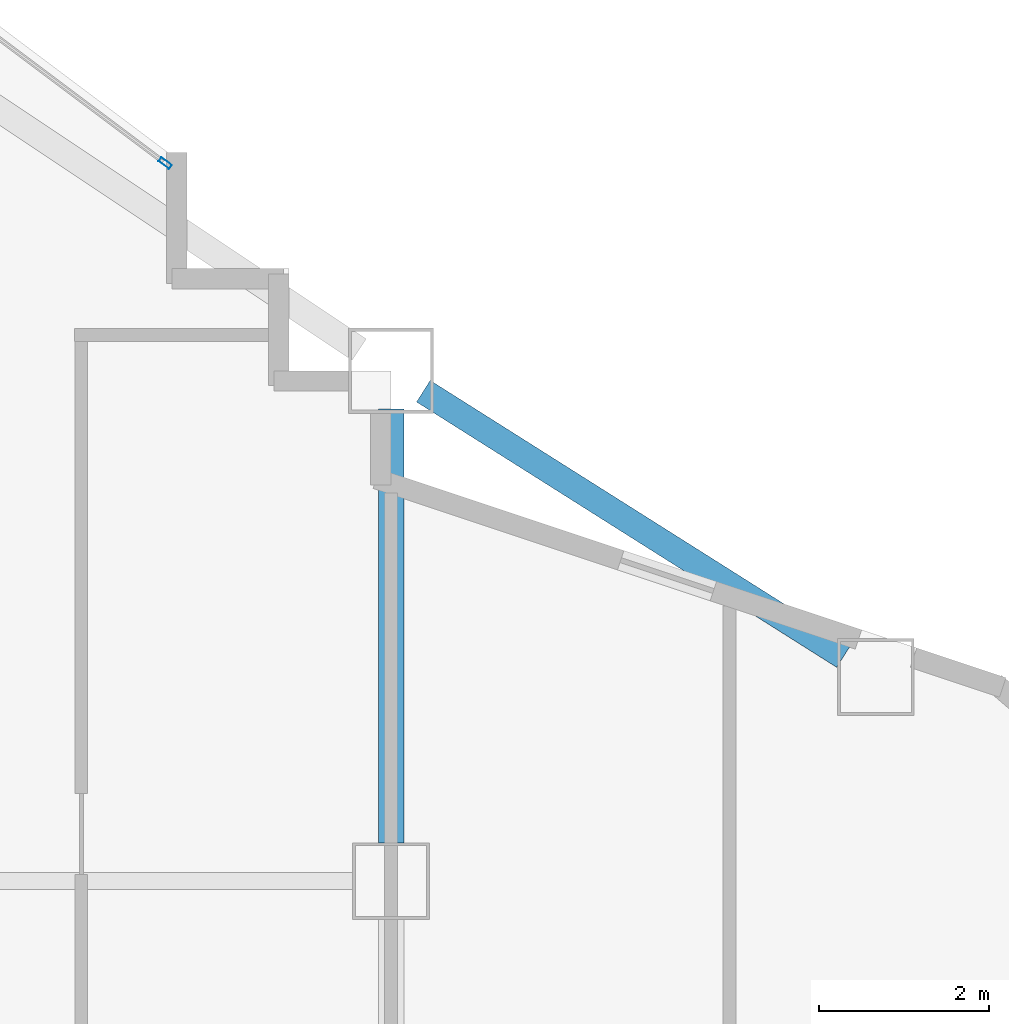
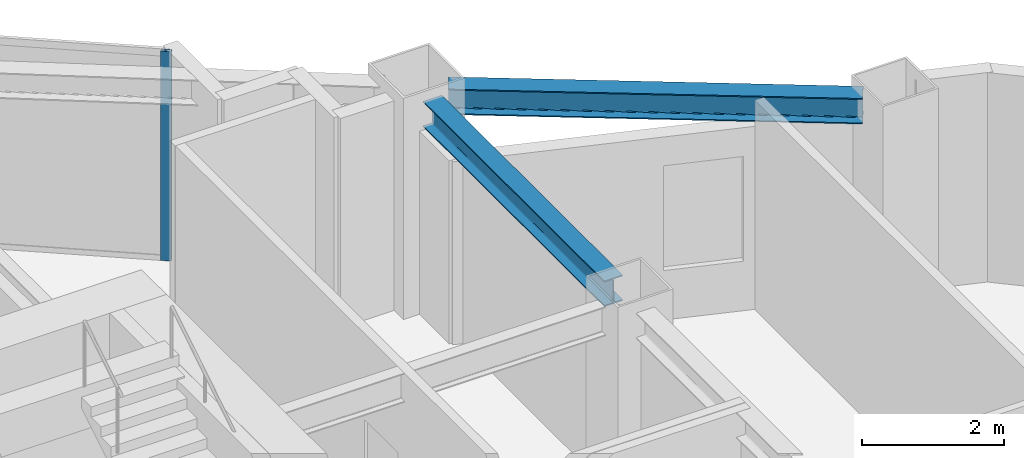
# One storey, part 4 of 16: 2 beams, 1 member, 1 element without a shape of its own.
"""IFC4 building model written with IfcOpenShell, lengths in metres."""

from ifc_helpers import new_model, si_unit, direction, frame, origin, origin_2d, place, context, subcontext, project, spatial, hollow_rectangle, i_section, extrude, material, layer, layer_set, material_profile, profile_set, type_object, element, aggregate, save


model = new_model("IFC4")

# Units and contexts
model_context = context("Model", 3, precision=1e-05, world=origin(), true_north=direction((0.0, 1.0)))
body_context = subcontext(model_context, "Body", "Model", "MODEL_VIEW")
ifc_project = project(units=[si_unit("LENGTHUNIT", "METRE"), si_unit("AREAUNIT", "SQUARE_METRE"), si_unit("VOLUMEUNIT", "CUBIC_METRE"), si_unit("PLANEANGLEUNIT", "RADIAN"), si_unit("MASSUNIT", "GRAM", prefix="KILO")], contexts=[model_context])

# Site, building, storey
site_placement = place(None, origin())
site = spatial("IfcSite", under=ifc_project, at=site_placement, CompositionType="ELEMENT")
building_placement = place(site_placement, origin())
building = spatial("IfcBuilding", under=site, at=building_placement, Name="Haolan Belvedere Tower", CompositionType="ELEMENT")
storey_placement = place(building_placement, frame((0.0, 0.0, 125.0)))
storey = spatial("IfcBuildingStorey", under=building, at=storey_placement, Name="L31", CompositionType="ELEMENT", Elevation=125.0)

# Beams
ifc_material_1 = material(Name="Steel Q355B", Category="steel")
ifc_material_profile_1 = material_profile(ifc_material_1, i_section(OverallWidth=0.300048828125, OverallDepth=0.43994140625, WebThickness=0.010986328125, FlangeThickness=0.01806640625, FilletRadius=0.02392578125, at=origin_2d()), Name="Steel Q355B")
ifc_profile_set_1 = profile_set([ifc_material_profile_1], Name="Steel Q355B")
beam_type = type_object("IfcBeamType", Name="BM-HM440x300x11x18", PredefinedType="SPANDREL", material=ifc_profile_set_1)
beam_1_placement = place(storey_placement, frame((52.800048828125, 40.050048828125, 3.3798828125), z_axis=(0.0, 1.0, 0.0), x_axis=(-1.0, 0.0, 0.0)))
element("IfcBeam", 1, at=beam_1_placement, inside=storey, type_object=beam_type, Name="L31 spandrel girder TC-T3-E2-MC-T3-NE", PredefinedType="SPANDREL", context=body_context, shape_type="SweptSolid", body=[
    extrude(i_section(OverallWidth=0.300048828125, OverallDepth=0.43994140625, WebThickness=0.010986328125, FlangeThickness=0.01806640625, FilletRadius=0.02392578125, at=origin_2d()), origin(), (0.0, 0.0, 1.0), 5.099853515625),
])
beam_2_placement = place(storey_placement, frame((53.180419921875, 45.359619140625, 3.3798828125), z_axis=(0.845497840649, -0.533978839898, 0.0), x_axis=(0.533978839898, 0.845497840649, 0.0)))
element("IfcBeam", 2, at=beam_2_placement, inside=storey, type_object=beam_type, Name="L31 spandrel girder MC-T3-NE-TC-T4-N1", PredefinedType="SPANDREL", context=body_context, shape_type="SweptSolid", body=[
    extrude(i_section(OverallWidth=0.300048828125, OverallDepth=0.43994140625, WebThickness=0.010986328125, FlangeThickness=0.01806640625, FilletRadius=0.02392578125, at=origin_2d()), origin(), (0.0, 0.0, 1.0), 5.841796875),
])

# Curtain wall, member
ifc_material_2 = material(Name="Anodised champagne-silver aluminium 6063-T6 and Low-E glass", Category="aluminium")
ifc_layer = layer(ifc_material_2, 0.155029296875, Name="Anodised champagne-silver aluminium 6063-T6 and Low-E glass")
ifc_layer_set = layer_set([ifc_layer], Name="Anodised champagne-silver aluminium 6063-T6 and Low-E glass")
curtain_wall_type = type_object("IfcCurtainWallType", Name="CW-SYS-03", PredefinedType="NOTDEFINED", material=ifc_layer_set)
curtain_wall_placement = place(storey_placement, origin())
curtain_wall = element("IfcCurtainWall", 3, at=curtain_wall_placement, inside=storey, type_object=curtain_wall_type, Name="L31 CW-SYS-03 ribbon curtain wall 26.1", PredefinedType="NOTDEFINED")
ifc_material_3 = material(Name="Anodised aluminium 6063-T6", Category="aluminium")
ifc_material_profile_2 = material_profile(ifc_material_3, hollow_rectangle(XDim=0.05810546875, YDim=0.155029296875, WallThickness=0.00390625, at=origin_2d()), Name="Anodised aluminium 6063-T6")
ifc_profile_set_2 = profile_set([ifc_material_profile_2], Name="Anodised aluminium 6063-T6")
member_type = type_object("IfcMemberType", Name="CW-SYS-03-MUL", PredefinedType="MULLION", material=ifc_profile_set_2)
member_placement = place(storey_placement, frame((50.144775390625, 48.04150390625, 0.0), z_axis=(0.0, 0.0, 1.0), x_axis=(-0.599994316874, -0.800004262313, 0.0)))
member = element("IfcMember", 4, at=member_placement, type_object=member_type, Name="CW-03 mullion 1", PredefinedType="MULLION", context=body_context, shape_type="SweptSolid", body=[
    extrude(hollow_rectangle(XDim=0.05810546875, YDim=0.155029296875, WallThickness=0.00390625, at=origin_2d()), origin(), (0.0, 0.0, 1.0), 3.60009765625),
])
aggregate(curtain_wall, [member])

save(model, "model.ifc")
